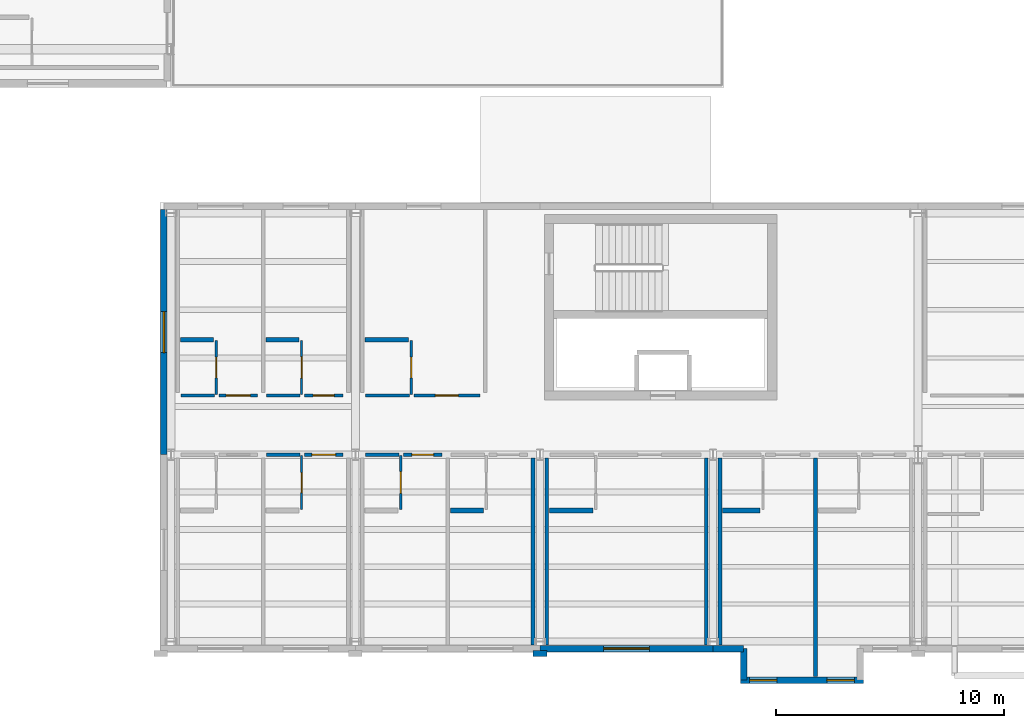
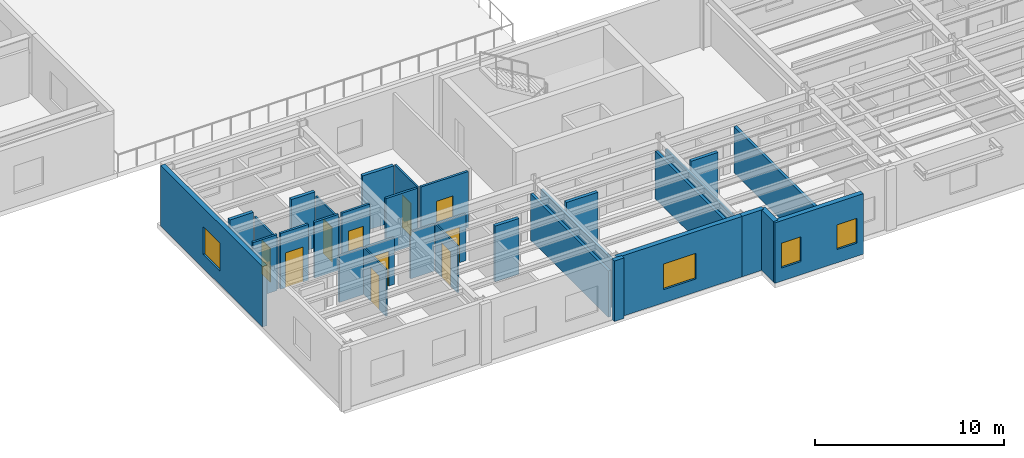
# One storey, part 35 of 59: 32 walls, 10 doors, 4 windows, 14 openings.
"""IFC4 building model written with IfcOpenShell, lengths in metres."""

from ifc_helpers import new_model, si_unit, direction, frame, frame_2d, origin, place, context, subcontext, project, spatial, rectangle, extrude, material, layer, layer_set, type_object, element, fill, save


model = new_model("IFC4")

# Units and contexts
model_context = context("Model", 3, precision=1e-05, world=origin(), true_north=direction((0.0, 1.0)))
body_context = subcontext(model_context, "Body", "Model", "MODEL_VIEW")
ifc_project = project(units=[si_unit("LENGTHUNIT", "METRE"), si_unit("AREAUNIT", "SQUARE_METRE"), si_unit("VOLUMEUNIT", "CUBIC_METRE"), si_unit("PLANEANGLEUNIT", "RADIAN"), si_unit("MASSUNIT", "GRAM", prefix="KILO")], contexts=[model_context])

# Site, building, storey
site_placement = place(None, origin())
site = spatial("IfcSite", under=ifc_project, at=site_placement, CompositionType="ELEMENT")
building_placement = place(site_placement, origin())
building = spatial("IfcBuilding", under=site, at=building_placement, Name="Sollismere Congress Hotel", CompositionType="ELEMENT")
storey_placement = place(building_placement, frame((0.0, 0.0, 15.60009765625)))
storey = spatial("IfcBuildingStorey", under=building, at=storey_placement, Name="L03", CompositionType="ELEMENT", Elevation=15.60009765625)

# Wall, opening, window
ifc_material_1 = material(Name="Colorado Buff Sandstone Rainscreen on Insulated Backup", Category="masonry")
ifc_layer_1 = layer(ifc_material_1, 0.284912109375, Name="Colorado Buff Sandstone Rainscreen on Insulated Backup")
ifc_layer_set_1 = layer_set([ifc_layer_1], Name="Colorado Buff Sandstone Rainscreen on Insulated Backup")
wall_type_1 = type_object("IfcWallType", Name="WL-EXT285", PredefinedType="STANDARD", material=ifc_layer_set_1)
wall_1_placement = place(storey_placement, frame((50.39990234375, -0.31005859375, 0.0), z_axis=(0.0, 0.0, 1.0), x_axis=(1.0, 0.0, 0.0)))
wall_1 = element("IfcWall", 1, at=wall_1_placement, inside=storey, type_object=wall_type_1, Name="Exterior wall EW-L03-394", PredefinedType="STANDARD", context=body_context, shape_type="SweptSolid", body=[
    extrude(rectangle(XDim=7.60009765625, YDim=0.284912109375, at=frame_2d((3.800048828125, 0.0))), origin(), (0.0, 0.0, 1.0), 3.89990234375),
])
opening_1_placement = place(wall_1_placement, frame((2.800048828125, 0.0, 0.85009765625)))
opening_1 = element("IfcOpeningElement", 2, at=opening_1_placement, cuts=wall_1, Name="Opening W-L03-313", PredefinedType="OPENING", context=body_context, shape_type="SweptSolid", body=[
    extrude(rectangle(XDim=2.0, YDim=1.64990234375, at=frame_2d((1.0, 0.824951171875))), frame((0.0, 0.15234375, 0.0), z_axis=(0.0, -1.0, 0.0), x_axis=(1.0, 0.0, 0.0)), (0.0, 0.0, 1.0), 0.304931640625),
])
ifc_material_2 = material(Name="Thermally Broken Bronze Aluminum & Low-E Glass", Category="aluminium")
window_type_1 = type_object("IfcWindowType", Name="WN-P200x165", PartitioningType="SINGLE_PANEL", PredefinedType="WINDOW", material=ifc_material_2)
window_1_placement = place(opening_1_placement, origin())
window_1 = element("IfcWindow", 3, at=window_1_placement, inside=storey, type_object=window_type_1, Name="WIN-W-L03-313", OverallHeight=1.64990234375, OverallWidth=2.0, PartitioningType="SINGLE_PANEL", PredefinedType="WINDOW", context=body_context, shape_type="SweptSolid", body=[
    extrude(rectangle(XDim=2.0, YDim=1.64990234375, at=frame_2d((1.0, 0.824951171875))), frame((0.0, 0.030029296875, 0.0), z_axis=(0.0, -1.0, 0.0), x_axis=(1.0, 0.0, 0.0)), (0.0, 0.0, 1.0), 0.06005859375),
])
fill(opening_1, window_1)

# Wall
wall_2_placement = place(storey_placement, frame((58.0, -0.31005859375, 0.0), z_axis=(0.0, 0.0, 1.0), x_axis=(1.0, 0.0, 0.0)))
element("IfcWall", 4, at=wall_2_placement, inside=storey, type_object=wall_type_1, Name="Exterior wall EW-L03-396", PredefinedType="STANDARD", context=body_context, shape_type="SweptSolid", body=[
    extrude(rectangle(XDim=1.340087890625, YDim=0.284912109375, at=frame_2d((0.669921875, 0.0))), origin(), (0.0, 0.0, 1.0), 3.89990234375),
])

# Wall, openings, windows
wall_3_placement = place(storey_placement, frame((59.199951171875, -1.699951171875, 0.0), z_axis=(0.0, 0.0, 1.0), x_axis=(1.0, 0.0, 0.0)))
wall_3 = element("IfcWall", 5, at=wall_3_placement, inside=storey, type_object=wall_type_1, Name="Exterior wall EW-L03-398", PredefinedType="STANDARD", context=body_context, shape_type="SweptSolid", body=[
    extrude(rectangle(XDim=5.400146484375, YDim=0.284912109375, at=frame_2d((2.7001953125, 0.0))), origin(), (0.0, 0.0, 1.0), 3.89990234375),
])
opening_2_placement = place(wall_3_placement, frame((0.39990234375, 0.0, 0.85009765625)))
opening_2 = element("IfcOpeningElement", 6, at=opening_2_placement, cuts=wall_3, Name="Opening W-L03-315", PredefinedType="OPENING", context=body_context, shape_type="SweptSolid", body=[
    extrude(rectangle(XDim=1.199951171875, YDim=1.60009765625, at=frame_2d((0.60009765625, 0.800048828125))), frame((0.0, 0.15234375, 0.0), z_axis=(0.0, -1.0, 0.0), x_axis=(1.0, 0.0, 0.0)), (0.0, 0.0, 1.0), 0.304931640625),
])
opening_3_placement = place(wall_3_placement, frame((3.800048828125, 0.0, 0.85009765625)))
opening_3 = element("IfcOpeningElement", 7, at=opening_3_placement, cuts=wall_3, Name="Opening W-L03-316", PredefinedType="OPENING", context=body_context, shape_type="SweptSolid", body=[
    extrude(rectangle(XDim=1.199951171875, YDim=1.60009765625, at=frame_2d((0.60009765625, 0.800048828125))), frame((0.0, 0.15234375, 0.0), z_axis=(0.0, -1.0, 0.0), x_axis=(1.0, 0.0, 0.0)), (0.0, 0.0, 1.0), 0.304931640625),
])
window_type_2 = type_object("IfcWindowType", Name="WN-P120x160", PartitioningType="SINGLE_PANEL", PredefinedType="WINDOW", material=ifc_material_2)
window_2_placement = place(opening_2_placement, origin())
window_2 = element("IfcWindow", 8, at=window_2_placement, inside=storey, type_object=window_type_2, Name="WIN-W-L03-315", OverallHeight=1.60009765625, OverallWidth=1.199951171875, PartitioningType="SINGLE_PANEL", PredefinedType="WINDOW", context=body_context, shape_type="SweptSolid", body=[
    extrude(rectangle(XDim=1.199951171875, YDim=1.60009765625, at=frame_2d((0.60009765625, 0.800048828125))), frame((0.0, 0.030029296875, 0.0), z_axis=(0.0, -1.0, 0.0), x_axis=(1.0, 0.0, 0.0)), (0.0, 0.0, 1.0), 0.06005859375),
])
fill(opening_2, window_2)
window_3_placement = place(opening_3_placement, origin())
window_3 = element("IfcWindow", 9, at=window_3_placement, inside=storey, type_object=window_type_2, Name="WIN-W-L03-316", OverallHeight=1.60009765625, OverallWidth=1.199951171875, PartitioningType="SINGLE_PANEL", PredefinedType="WINDOW", context=body_context, shape_type="SweptSolid", body=[
    extrude(rectangle(XDim=1.199951171875, YDim=1.60009765625, at=frame_2d((0.60009765625, 0.800048828125))), frame((0.0, 0.030029296875, 0.0), z_axis=(0.0, -1.0, 0.0), x_axis=(1.0, 0.0, 0.0)), (0.0, 0.0, 1.0), 0.06005859375),
])
fill(opening_3, window_3)

# Wall
wall_4_placement = place(storey_placement, frame((59.340087890625, -0.31005859375, 0.0), z_axis=(0.0, 0.0, 1.0), x_axis=(0.0, -1.0, 0.0)))
element("IfcWall", 10, at=wall_4_placement, inside=storey, type_object=wall_type_1, Name="Exterior wall EW-L03-399", PredefinedType="STANDARD", context=body_context, shape_type="SweptSolid", body=[
    extrude(rectangle(XDim=1.389892578125, YDim=0.284912109375, at=frame_2d((0.69482421875, 0.0))), origin(), (0.0, 0.0, 1.0), 3.89990234375),
])

# Wall, opening, window
wall_5_placement = place(storey_placement, frame((33.889892578125, 18.965576171875, 0.0), z_axis=(0.0, 0.0, 1.0), x_axis=(0.0, -1.0, 0.0)))
wall_5 = element("IfcWall", 11, at=wall_5_placement, inside=storey, type_object=wall_type_1, Name="Exterior wall EW-L03-474", PredefinedType="STANDARD", context=body_context, shape_type="SweptSolid", body=[
    extrude(rectangle(XDim=10.765625, YDim=0.284912109375, at=frame_2d((5.3828125, 0.0))), origin(), (0.0, 0.0, 1.0), 3.89990234375),
])
opening_4_placement = place(wall_5_placement, frame((4.482666015625, 0.0, 0.8798828125)))
opening_4 = element("IfcOpeningElement", 12, at=opening_4_placement, cuts=wall_5, Name="Opening W-L03-363", PredefinedType="OPENING", context=body_context, shape_type="SweptSolid", body=[
    extrude(rectangle(XDim=1.800048828125, YDim=1.800048828125, at=frame_2d((0.89990234375, 0.89990234375))), frame((0.0, 0.15234375, 0.0), z_axis=(0.0, -1.0, 0.0), x_axis=(1.0, 0.0, 0.0)), (0.0, 0.0, 1.0), 0.304931640625),
])
window_type_3 = type_object("IfcWindowType", Name="WN-P180x180", PartitioningType="SINGLE_PANEL", PredefinedType="WINDOW", material=ifc_material_2)
window_4_placement = place(opening_4_placement, origin())
window_4 = element("IfcWindow", 13, at=window_4_placement, inside=storey, type_object=window_type_3, Name="WIN-W-L03-363", OverallHeight=1.800048828125, OverallWidth=1.800048828125, PartitioningType="SINGLE_PANEL", PredefinedType="WINDOW", context=body_context, shape_type="SweptSolid", body=[
    extrude(rectangle(XDim=1.800048828125, YDim=1.800048828125, at=frame_2d((0.89990234375, 0.89990234375))), frame((0.0, 0.030029296875, 0.0), z_axis=(0.0, -1.0, 0.0), x_axis=(1.0, 0.0, 0.0)), (0.0, 0.0, 1.0), 0.06005859375),
])
fill(opening_4, window_4)

# Walls
ifc_material_3 = material(Name="Carved Travertine Pilaster & Frieze Assembly", Category="masonry")
ifc_layer_2 = layer(ifc_material_3, 0.260009765625, Name="Carved Travertine Pilaster & Frieze Assembly")
ifc_layer_set_2 = layer_set([ifc_layer_2], Name="Carved Travertine Pilaster & Frieze Assembly")
wall_type_2 = type_object("IfcWallType", Name="WL-PIL280", PredefinedType="ELEMENTEDWALL", material=ifc_layer_set_2)
wall_6_placement = place(storey_placement, frame((50.10009765625, -0.52001953125, 0.0), z_axis=(0.0, 0.0, 1.0), x_axis=(1.0, 0.0, 0.0)))
element("IfcWall", 14, at=wall_6_placement, inside=storey, type_object=wall_type_2, Name="Exterior wall EW-L03-395", PredefinedType="ELEMENTEDWALL", context=body_context, shape_type="SweptSolid", body=[
    extrude(rectangle(XDim=0.599853515625, YDim=0.260009765625, at=frame_2d((0.2998046875, 0.0))), origin(), (0.0, 0.0, 1.0), 3.89990234375),
])
ifc_material_4 = material(Name="Moisture-Resistant Shaft Gypsum Assembly")
ifc_layer_3 = layer(ifc_material_4, 0.199951171875, Name="Moisture-Resistant Shaft Gypsum Assembly")
ifc_layer_set_3 = layer_set([ifc_layer_3], Name="Moisture-Resistant Shaft Gypsum Assembly")
wall_type_3 = type_object("IfcWallType", Name="WL-PLM200", PredefinedType="PLUMBINGWALL", material=ifc_layer_set_3)
for number, where, z_axis, x_axis, name in (
    (15, (34.6201171875, 13.25, 0.0), (0.0, 0.0, 1.0), (1.0, 0.0, 0.0), "Interior wall IW-L03-1225"),
    (16, (38.3701171875, 13.25, 0.0), (0.0, 0.0, 1.0), (1.0, 0.0, 0.0), "Interior wall IW-L03-1230"),
    (17, (46.469970703125, 5.75, 0.0), (0.0, 0.0, 1.0), (1.0, 0.0, 0.0), "Interior wall IW-L03-1241"),
):
    element("IfcWall", number, at=place(storey_placement, frame(where, z_axis=z_axis, x_axis=x_axis)), inside=storey, type_object=wall_type_3, Name=name, PredefinedType="PLUMBINGWALL", context=body_context, shape_type="SweptSolid", body=[
        extrude(rectangle(XDim=1.447998046875, YDim=0.199951171875, at=frame_2d((0.72412109375, 0.0))), origin(), (0.0, 0.0, 1.0), 3.599853515625),
    ])
for number, where, z_axis, x_axis, name in (
    (18, (42.719970703125, 13.25, 0.0), (0.0, 0.0, 1.0), (1.0, 0.0, 0.0), "Interior wall IW-L03-1247"),
    (19, (50.820068359375, 5.75, 0.0), (0.0, 0.0, 1.0), (1.0, 0.0, 0.0), "Interior wall IW-L03-1253"),
):
    element("IfcWall", number, at=place(storey_placement, frame(where, z_axis=z_axis, x_axis=x_axis)), inside=storey, type_object=wall_type_3, Name=name, PredefinedType="PLUMBINGWALL", context=body_context, shape_type="SweptSolid", body=[
        extrude(rectangle(XDim=1.909912109375, YDim=0.199951171875, at=frame_2d((0.955078125, 0.0))), origin(), (0.0, 0.0, 1.0), 3.599853515625),
    ])
wall_7_placement = place(storey_placement, frame((58.419921875, 5.75, 0.0), z_axis=(0.0, 0.0, 1.0), x_axis=(1.0, 0.0, 0.0)))
element("IfcWall", 20, at=wall_7_placement, inside=storey, type_object=wall_type_3, Name="Interior wall IW-L03-1259", PredefinedType="PLUMBINGWALL", context=body_context, shape_type="SweptSolid", body=[
    extrude(rectangle(XDim=1.650146484375, YDim=0.199951171875, at=frame_2d((0.8251953125, 0.0))), origin(), (0.0, 0.0, 1.0), 3.599853515625),
])

# Wall, opening, door
ifc_material_5 = material(Name="Moisture-Resistant Gypsum Partition")
ifc_layer_4 = layer(ifc_material_5, 0.10009765625, Name="Moisture-Resistant Gypsum Partition")
ifc_layer_set_4 = layer_set([ifc_layer_4], Name="Moisture-Resistant Gypsum Partition")
wall_type_4 = type_object("IfcWallType", Name="WL-PRT100", PredefinedType="PARTITIONING", material=ifc_layer_set_4)
wall_8_placement = place(storey_placement, frame((39.93798828125, 5.7900390625, 0.0), z_axis=(0.0, 0.0, 1.0), x_axis=(0.0, 1.0, 0.0)))
wall_8 = element("IfcWall", 21, at=wall_8_placement, inside=storey, type_object=wall_type_4, Name="Interior wall IW-L03-1218", PredefinedType="PARTITIONING", context=body_context, shape_type="SweptSolid", body=[
    extrude(rectangle(XDim=2.369873046875, YDim=0.10009765625, at=frame_2d((1.18505859375, 0.0))), origin(), (0.0, 0.0, 1.0), 3.012939453125),
])
opening_5_placement = place(wall_8_placement, frame((0.7451171875, 0.0, 0.0)))
opening_5 = element("IfcOpeningElement", 22, at=opening_5_placement, cuts=wall_8, Name="Opening D-L03-0430", PredefinedType="OPENING", context=body_context, shape_type="SweptSolid", body=[
    extrude(rectangle(XDim=0.8798828125, YDim=2.179931640625, at=frame_2d((0.43994140625, 1.08984375))), frame((0.0, 0.06005859375, 0.0), z_axis=(0.0, -1.0, 0.0), x_axis=(1.0, 0.0, 0.0)), (0.0, 0.0, 1.0), 0.1201171875),
])
ifc_material_6 = material(Name="Moisture-Sealed Timber Bathroom Door", Category="wood")
door_type_1 = type_object("IfcDoorType", Name="DR-BT05", OperationType="NOTDEFINED", PredefinedType="DOOR", material=ifc_material_6)
door_1_placement = place(opening_5_placement, origin())
door_1 = element("IfcDoor", 23, at=door_1_placement, inside=storey, type_object=door_type_1, Name="En-suite bathroom door D-L03-0430", OperationType="SINGLE_SWING_LEFT", OverallHeight=2.179931640625, OverallWidth=0.8798828125, PredefinedType="DOOR", context=body_context, shape_type="SweptSolid", body=[
    extrude(rectangle(XDim=0.8798828125, YDim=2.179931640625, at=frame_2d((0.43994140625, 1.08984375))), frame((0.0, 0.02490234375, 0.0), z_axis=(0.0, -1.0, 0.0), x_axis=(1.0, 0.0, 0.0)), (0.0, 0.0, 1.0), 0.050048828125),
])
fill(opening_5, door_1)

wall_9_placement = place(storey_placement, frame((36.18798828125, 10.840087890625, 0.0), z_axis=(0.0, 0.0, 1.0), x_axis=(0.0, 1.0, 0.0)))
wall_9 = element("IfcWall", 24, at=wall_9_placement, inside=storey, type_object=wall_type_4, Name="Interior wall IW-L03-1224", PredefinedType="PARTITIONING", context=body_context, shape_type="SweptSolid", body=[
    extrude(rectangle(XDim=2.369873046875, YDim=0.10009765625, at=frame_2d((1.18505859375, 0.0))), origin(), (0.0, 0.0, 1.0), 3.268798828125),
])
opening_6_placement = place(wall_9_placement, frame((0.73291015625, 0.0, 0.0)))
opening_6 = element("IfcOpeningElement", 25, at=opening_6_placement, cuts=wall_9, Name="Opening D-L03-0432", PredefinedType="OPENING", context=body_context, shape_type="SweptSolid", body=[
    extrude(rectangle(XDim=0.905029296875, YDim=2.179931640625, at=frame_2d((0.45263671875, 1.08984375))), frame((0.0, 0.06005859375, 0.0), z_axis=(0.0, -1.0, 0.0), x_axis=(1.0, 0.0, 0.0)), (0.0, 0.0, 1.0), 0.1201171875),
])
door_type_2 = type_object("IfcDoorType", Name="DR-BT06", OperationType="NOTDEFINED", PredefinedType="DOOR", material=ifc_material_6)
door_2_placement = place(opening_6_placement, origin())
door_2 = element("IfcDoor", 26, at=door_2_placement, inside=storey, type_object=door_type_2, Name="En-suite bathroom door D-L03-0432", OperationType="SINGLE_SWING_LEFT", OverallHeight=2.179931640625, OverallWidth=0.905029296875, PredefinedType="DOOR", context=body_context, shape_type="SweptSolid", body=[
    extrude(rectangle(XDim=0.905029296875, YDim=2.179931640625, at=frame_2d((0.45263671875, 1.08984375))), frame((0.0, 0.02490234375, 0.0), z_axis=(0.0, -1.0, 0.0), x_axis=(1.0, 0.0, 0.0)), (0.0, 0.0, 1.0), 0.050048828125),
])
fill(opening_6, door_2)

wall_10_placement = place(storey_placement, frame((39.93798828125, 10.840087890625, 0.0), z_axis=(0.0, 0.0, 1.0), x_axis=(0.0, 1.0, 0.0)))
wall_10 = element("IfcWall", 27, at=wall_10_placement, inside=storey, type_object=wall_type_4, Name="Interior wall IW-L03-1229", PredefinedType="PARTITIONING", context=body_context, shape_type="SweptSolid", body=[
    extrude(rectangle(XDim=2.369873046875, YDim=0.10009765625, at=frame_2d((1.18505859375, 0.0))), origin(), (0.0, 0.0, 1.0), 3.268798828125),
])
opening_7_placement = place(wall_10_placement, frame((0.719970703125, 0.0, 0.0)))
opening_7 = element("IfcOpeningElement", 28, at=opening_7_placement, cuts=wall_10, Name="Opening D-L03-0434", PredefinedType="OPENING", context=body_context, shape_type="SweptSolid", body=[
    extrude(rectangle(XDim=0.929931640625, YDim=2.219970703125, at=frame_2d((0.46484375, 1.10986328125))), frame((0.0, 0.06005859375, 0.0), z_axis=(0.0, -1.0, 0.0), x_axis=(1.0, 0.0, 0.0)), (0.0, 0.0, 1.0), 0.1201171875),
])
door_type_3 = type_object("IfcDoorType", Name="DR-BT07", OperationType="NOTDEFINED", PredefinedType="DOOR", material=ifc_material_6)
door_3_placement = place(opening_7_placement, origin())
door_3 = element("IfcDoor", 29, at=door_3_placement, inside=storey, type_object=door_type_3, Name="En-suite bathroom door D-L03-0434", OperationType="SINGLE_SWING_LEFT", OverallHeight=2.219970703125, OverallWidth=0.929931640625, PredefinedType="DOOR", context=body_context, shape_type="SweptSolid", body=[
    extrude(rectangle(XDim=0.929931640625, YDim=2.219970703125, at=frame_2d((0.46484375, 1.10986328125))), frame((0.0, 0.02490234375, 0.0), z_axis=(0.0, -1.0, 0.0), x_axis=(1.0, 0.0, 0.0)), (0.0, 0.0, 1.0), 0.050048828125),
])
fill(opening_7, door_3)

wall_11_placement = place(storey_placement, frame((44.2880859375, 5.7900390625, 0.0), z_axis=(0.0, 0.0, 1.0), x_axis=(0.0, 1.0, 0.0)))
wall_11 = element("IfcWall", 30, at=wall_11_placement, inside=storey, type_object=wall_type_4, Name="Interior wall IW-L03-1235", PredefinedType="PARTITIONING", context=body_context, shape_type="SweptSolid", body=[
    extrude(rectangle(XDim=2.369873046875, YDim=0.10009765625, at=frame_2d((1.18505859375, 0.0))), origin(), (0.0, 0.0, 1.0), 3.012939453125),
])
opening_8_placement = place(wall_11_placement, frame((0.7080078125, 0.0, 0.0)))
opening_8 = element("IfcOpeningElement", 31, at=opening_8_placement, cuts=wall_11, Name="Opening D-L03-0436", PredefinedType="OPENING", context=body_context, shape_type="SweptSolid", body=[
    extrude(rectangle(XDim=0.955078125, YDim=2.219970703125, at=frame_2d((0.4775390625, 1.10986328125))), frame((0.0, 0.06005859375, 0.0), z_axis=(0.0, -1.0, 0.0), x_axis=(1.0, 0.0, 0.0)), (0.0, 0.0, 1.0), 0.1201171875),
])
door_type_4 = type_object("IfcDoorType", Name="DR-BT08", OperationType="NOTDEFINED", PredefinedType="DOOR", material=ifc_material_6)
door_4_placement = place(opening_8_placement, origin())
door_4 = element("IfcDoor", 32, at=door_4_placement, inside=storey, type_object=door_type_4, Name="En-suite bathroom door D-L03-0436", OperationType="SINGLE_SWING_LEFT", OverallHeight=2.219970703125, OverallWidth=0.955078125, PredefinedType="DOOR", context=body_context, shape_type="SweptSolid", body=[
    extrude(rectangle(XDim=0.955078125, YDim=2.219970703125, at=frame_2d((0.4775390625, 1.10986328125))), frame((0.0, 0.02490234375, 0.0), z_axis=(0.0, -1.0, 0.0), x_axis=(1.0, 0.0, 0.0)), (0.0, 0.0, 1.0), 0.050048828125),
])
fill(opening_8, door_4)

wall_12_placement = place(storey_placement, frame((44.75, 10.840087890625, 0.0), z_axis=(0.0, 0.0, 1.0), x_axis=(0.0, 1.0, 0.0)))
wall_12 = element("IfcWall", 33, at=wall_12_placement, inside=storey, type_object=wall_type_4, Name="Interior wall IW-L03-1246", PredefinedType="PARTITIONING", context=body_context, shape_type="SweptSolid", body=[
    extrude(rectangle(XDim=2.369873046875, YDim=0.10009765625, at=frame_2d((1.18505859375, 0.0))), origin(), (0.0, 0.0, 1.0), 3.599853515625),
])
opening_9_placement = place(wall_12_placement, frame((0.73291015625, 0.0, 0.0)))
opening_9 = element("IfcOpeningElement", 34, at=opening_9_placement, cuts=wall_12, Name="Opening D-L03-0440", PredefinedType="OPENING", context=body_context, shape_type="SweptSolid", body=[
    extrude(rectangle(XDim=0.905029296875, YDim=2.10009765625, at=frame_2d((0.45263671875, 1.050048828125))), frame((0.0, 0.06005859375, 0.0), z_axis=(0.0, -1.0, 0.0), x_axis=(1.0, 0.0, 0.0)), (0.0, 0.0, 1.0), 0.1201171875),
])
door_type_5 = type_object("IfcDoorType", Name="DR-BT02", OperationType="NOTDEFINED", PredefinedType="DOOR", material=ifc_material_6)
door_5_placement = place(opening_9_placement, origin())
door_5 = element("IfcDoor", 35, at=door_5_placement, inside=storey, type_object=door_type_5, Name="En-suite bathroom door D-L03-0440", OperationType="SINGLE_SWING_LEFT", OverallHeight=2.10009765625, OverallWidth=0.905029296875, PredefinedType="DOOR", context=body_context, shape_type="SweptSolid", body=[
    extrude(rectangle(XDim=0.905029296875, YDim=2.10009765625, at=frame_2d((0.45263671875, 1.050048828125))), frame((0.0, 0.02490234375, 0.0), z_axis=(0.0, -1.0, 0.0), x_axis=(1.0, 0.0, 0.0)), (0.0, 0.0, 1.0), 0.050048828125),
])
fill(opening_9, door_5)

# Wall
ifc_material_7 = material(Name="Fire-Rated Gypsum Partition")
ifc_layer_5 = layer(ifc_material_7, 0.139892578125, Name="Fire-Rated Gypsum Partition")
ifc_layer_set_5 = layer_set([ifc_layer_5], Name="Fire-Rated Gypsum Partition")
wall_type_5 = type_object("IfcWallType", Name="WL-PRT140R", PredefinedType="PARTITIONING", material=ifc_layer_set_5)
wall_13_placement = place(storey_placement, frame((38.389892578125, 8.199951171875, 0.0), z_axis=(0.0, 0.0, 1.0), x_axis=(1.0, 0.0, 0.0)))
element("IfcWall", 36, at=wall_13_placement, inside=storey, type_object=wall_type_5, Name="Interior wall IW-L03-1215", PredefinedType="PARTITIONING", context=body_context, shape_type="SweptSolid", body=[
    extrude(rectangle(XDim=1.468017578125, YDim=0.139892578125, at=frame_2d((0.73388671875, 0.0))), origin(), (0.0, 0.0, 1.0), 3.012939453125),
])

# Wall, opening, door
wall_14_placement = place(storey_placement, frame((40.05810546875, 8.199951171875, 0.0), z_axis=(0.0, 0.0, 1.0), x_axis=(1.0, 0.0, 0.0)))
wall_14 = element("IfcWall", 37, at=wall_14_placement, inside=storey, type_object=wall_type_5, Name="Interior wall IW-L03-1216", PredefinedType="PARTITIONING", context=body_context, shape_type="SweptSolid", body=[
    extrude(rectangle(XDim=1.701904296875, YDim=0.139892578125, at=frame_2d((0.85107421875, 0.0))), origin(), (0.0, 0.0, 1.0), 3.012939453125),
])
opening_10_placement = place(wall_14_placement, frame((0.3310546875, 0.0, 0.0)))
opening_10 = element("IfcOpeningElement", 38, at=opening_10_placement, cuts=wall_14, Name="Opening D-L03-0429", PredefinedType="OPENING", context=body_context, shape_type="SweptSolid", body=[
    extrude(rectangle(XDim=1.0400390625, YDim=2.25, at=frame_2d((0.52001953125, 1.125))), frame((0.0, 0.079833984375, 0.0), z_axis=(0.0, -1.0, 0.0), x_axis=(1.0, 0.0, 0.0)), (0.0, 0.0, 1.0), 0.159912109375),
])
ifc_material_8 = material(Name="Solid-Core Acoustic Walnut Guestroom Entry Door")
door_type_6 = type_object("IfcDoorType", Name="DR-KY05", OperationType="NOTDEFINED", PredefinedType="DOOR", material=ifc_material_8)
door_6_placement = place(opening_10_placement, origin())
door_6 = element("IfcDoor", 39, at=door_6_placement, inside=storey, type_object=door_type_6, Name="Hotel room entry door D-L03-0429", OperationType="SINGLE_SWING_RIGHT", OverallHeight=2.25, OverallWidth=1.0400390625, PredefinedType="DOOR", context=body_context, shape_type="SweptSolid", body=[
    extrude(rectangle(XDim=1.0400390625, YDim=2.25, at=frame_2d((0.52001953125, 1.125))), frame((0.0, 0.02490234375, 0.0), z_axis=(0.0, -1.0, 0.0), x_axis=(1.0, 0.0, 0.0)), (0.0, 0.0, 1.0), 0.050048828125),
])
fill(opening_10, door_6)

# Wall
wall_15_placement = place(storey_placement, frame((34.639892578125, 10.800048828125, 0.0), z_axis=(0.0, 0.0, 1.0), x_axis=(1.0, 0.0, 0.0)))
element("IfcWall", 40, at=wall_15_placement, inside=storey, type_object=wall_type_5, Name="Interior wall IW-L03-1220", PredefinedType="PARTITIONING", context=body_context, shape_type="SweptSolid", body=[
    extrude(rectangle(XDim=1.468017578125, YDim=0.139892578125, at=frame_2d((0.73388671875, 0.0))), origin(), (0.0, 0.0, 1.0), 3.599853515625),
])

# Wall, opening, door
wall_16_placement = place(storey_placement, frame((36.30810546875, 10.800048828125, 0.0), z_axis=(0.0, 0.0, 1.0), x_axis=(1.0, 0.0, 0.0)))
wall_16 = element("IfcWall", 41, at=wall_16_placement, inside=storey, type_object=wall_type_5, Name="Interior wall IW-L03-1221", PredefinedType="PARTITIONING", context=body_context, shape_type="SweptSolid", body=[
    extrude(rectangle(XDim=1.701904296875, YDim=0.139892578125, at=frame_2d((0.85107421875, 0.0))), origin(), (0.0, 0.0, 1.0), 3.599853515625),
])
opening_11_placement = place(wall_16_placement, frame((0.31591796875, 0.0, 0.0)))
opening_11 = element("IfcOpeningElement", 42, at=opening_11_placement, cuts=wall_16, Name="Opening D-L03-0431", PredefinedType="OPENING", context=body_context, shape_type="SweptSolid", body=[
    extrude(rectangle(XDim=1.070068359375, YDim=2.25, at=frame_2d((0.53515625, 1.125))), frame((0.0, 0.079833984375, 0.0), z_axis=(0.0, -1.0, 0.0), x_axis=(1.0, 0.0, 0.0)), (0.0, 0.0, 1.0), 0.159912109375),
])
door_type_7 = type_object("IfcDoorType", Name="DR-KY06", OperationType="NOTDEFINED", PredefinedType="DOOR", material=ifc_material_8)
door_7_placement = place(opening_11_placement, origin())
door_7 = element("IfcDoor", 43, at=door_7_placement, inside=storey, type_object=door_type_7, Name="Hotel room entry door D-L03-0431", OperationType="SINGLE_SWING_RIGHT", OverallHeight=2.25, OverallWidth=1.070068359375, PredefinedType="DOOR", context=body_context, shape_type="SweptSolid", body=[
    extrude(rectangle(XDim=1.070068359375, YDim=2.25, at=frame_2d((0.53515625, 1.125))), frame((0.0, 0.02490234375, 0.0), z_axis=(0.0, -1.0, 0.0), x_axis=(1.0, 0.0, 0.0)), (0.0, 0.0, 1.0), 0.050048828125),
])
fill(opening_11, door_7)

# Wall
wall_17_placement = place(storey_placement, frame((38.389892578125, 10.800048828125, 0.0), z_axis=(0.0, 0.0, 1.0), x_axis=(1.0, 0.0, 0.0)))
element("IfcWall", 44, at=wall_17_placement, inside=storey, type_object=wall_type_5, Name="Interior wall IW-L03-1226", PredefinedType="PARTITIONING", context=body_context, shape_type="SweptSolid", body=[
    extrude(rectangle(XDim=1.468017578125, YDim=0.139892578125, at=frame_2d((0.73388671875, 0.0))), origin(), (0.0, 0.0, 1.0), 3.599853515625),
])

# Wall, opening, door
wall_18_placement = place(storey_placement, frame((40.05810546875, 10.800048828125, 0.0), z_axis=(0.0, 0.0, 1.0), x_axis=(1.0, 0.0, 0.0)))
wall_18 = element("IfcWall", 45, at=wall_18_placement, inside=storey, type_object=wall_type_5, Name="Interior wall IW-L03-1227", PredefinedType="PARTITIONING", context=body_context, shape_type="SweptSolid", body=[
    extrude(rectangle(XDim=1.701904296875, YDim=0.139892578125, at=frame_2d((0.85107421875, 0.0))), origin(), (0.0, 0.0, 1.0), 3.599853515625),
])
opening_12_placement = place(wall_18_placement, frame((0.39111328125, 0.0, 0.0)))
opening_12 = element("IfcOpeningElement", 46, at=opening_12_placement, cuts=wall_18, Name="Opening D-L03-0433", PredefinedType="OPENING", context=body_context, shape_type="SweptSolid", body=[
    extrude(rectangle(XDim=0.919921875, YDim=2.300048828125, at=frame_2d((0.4599609375, 1.14990234375))), frame((0.0, 0.079833984375, 0.0), z_axis=(0.0, -1.0, 0.0), x_axis=(1.0, 0.0, 0.0)), (0.0, 0.0, 1.0), 0.159912109375),
])
door_type_8 = type_object("IfcDoorType", Name="DR-KY07", OperationType="NOTDEFINED", PredefinedType="DOOR", material=ifc_material_8)
door_8_placement = place(opening_12_placement, origin())
door_8 = element("IfcDoor", 47, at=door_8_placement, inside=storey, type_object=door_type_8, Name="Hotel room entry door D-L03-0433", OperationType="SINGLE_SWING_RIGHT", OverallHeight=2.300048828125, OverallWidth=0.919921875, PredefinedType="DOOR", context=body_context, shape_type="SweptSolid", body=[
    extrude(rectangle(XDim=0.919921875, YDim=2.300048828125, at=frame_2d((0.4599609375, 1.14990234375))), frame((0.0, 0.02490234375, 0.0), z_axis=(0.0, -1.0, 0.0), x_axis=(1.0, 0.0, 0.0)), (0.0, 0.0, 1.0), 0.050048828125),
])
fill(opening_12, door_8)

# Wall
wall_19_placement = place(storey_placement, frame((42.739990234375, 8.199951171875, 0.0), z_axis=(0.0, 0.0, 1.0), x_axis=(1.0, 0.0, 0.0)))
element("IfcWall", 48, at=wall_19_placement, inside=storey, type_object=wall_type_5, Name="Interior wall IW-L03-1231", PredefinedType="PARTITIONING", context=body_context, shape_type="SweptSolid", body=[
    extrude(rectangle(XDim=1.468017578125, YDim=0.139892578125, at=frame_2d((0.73388671875, 0.0))), origin(), (0.0, 0.0, 1.0), 3.012939453125),
])

# Wall, opening, door
wall_20_placement = place(storey_placement, frame((44.407958984375, 8.199951171875, 0.0), z_axis=(0.0, 0.0, 1.0), x_axis=(1.0, 0.0, 0.0)))
wall_20 = element("IfcWall", 49, at=wall_20_placement, inside=storey, type_object=wall_type_5, Name="Interior wall IW-L03-1232", PredefinedType="PARTITIONING", context=body_context, shape_type="SweptSolid", body=[
    extrude(rectangle(XDim=1.7021484375, YDim=0.139892578125, at=frame_2d((0.85107421875, 0.0))), origin(), (0.0, 0.0, 1.0), 3.012939453125),
])
opening_13_placement = place(wall_20_placement, frame((0.3759765625, 0.0, 0.0)))
opening_13 = element("IfcOpeningElement", 50, at=opening_13_placement, cuts=wall_20, Name="Opening D-L03-0435", PredefinedType="OPENING", context=body_context, shape_type="SweptSolid", body=[
    extrude(rectangle(XDim=0.949951171875, YDim=2.300048828125, at=frame_2d((0.47509765625, 1.14990234375))), frame((0.0, 0.079833984375, 0.0), z_axis=(0.0, -1.0, 0.0), x_axis=(1.0, 0.0, 0.0)), (0.0, 0.0, 1.0), 0.159912109375),
])
door_type_9 = type_object("IfcDoorType", Name="DR-KY08", OperationType="NOTDEFINED", PredefinedType="DOOR", material=ifc_material_8)
door_9_placement = place(opening_13_placement, origin())
door_9 = element("IfcDoor", 51, at=door_9_placement, inside=storey, type_object=door_type_9, Name="Hotel room entry door D-L03-0435", OperationType="SINGLE_SWING_RIGHT", OverallHeight=2.300048828125, OverallWidth=0.949951171875, PredefinedType="DOOR", context=body_context, shape_type="SweptSolid", body=[
    extrude(rectangle(XDim=0.949951171875, YDim=2.300048828125, at=frame_2d((0.47509765625, 1.14990234375))), frame((0.0, 0.02490234375, 0.0), z_axis=(0.0, -1.0, 0.0), x_axis=(1.0, 0.0, 0.0)), (0.0, 0.0, 1.0), 0.050048828125),
])
fill(opening_13, door_9)

# Wall
wall_21_placement = place(storey_placement, frame((42.739990234375, 10.800048828125, 0.0), z_axis=(0.0, 0.0, 1.0), x_axis=(1.0, 0.0, 0.0)))
element("IfcWall", 52, at=wall_21_placement, inside=storey, type_object=wall_type_5, Name="Interior wall IW-L03-1242", PredefinedType="PARTITIONING", context=body_context, shape_type="SweptSolid", body=[
    extrude(rectangle(XDim=1.929931640625, YDim=0.139892578125, at=frame_2d((0.96484375, 0.0))), origin(), (0.0, 0.0, 1.0), 3.599853515625),
])

# Wall, opening, door
wall_22_placement = place(storey_placement, frame((44.8701171875, 10.800048828125, 0.0), z_axis=(0.0, 0.0, 1.0), x_axis=(1.0, 0.0, 0.0)))
wall_22 = element("IfcWall", 53, at=wall_22_placement, inside=storey, type_object=wall_type_5, Name="Interior wall IW-L03-1243", PredefinedType="PARTITIONING", context=body_context, shape_type="SweptSolid", body=[
    extrude(rectangle(XDim=2.889892578125, YDim=0.139892578125, at=frame_2d((1.44482421875, 0.0))), origin(), (0.0, 0.0, 1.0), 3.599853515625),
])
opening_14_placement = place(wall_22_placement, frame((0.93994140625, 0.0, 0.0)))
opening_14 = element("IfcOpeningElement", 54, at=opening_14_placement, cuts=wall_22, Name="Opening D-L03-0439", PredefinedType="OPENING", context=body_context, shape_type="SweptSolid", body=[
    extrude(rectangle(XDim=1.010009765625, YDim=2.35009765625, at=frame_2d((0.5048828125, 1.175048828125))), frame((0.0, 0.079833984375, 0.0), z_axis=(0.0, -1.0, 0.0), x_axis=(1.0, 0.0, 0.0)), (0.0, 0.0, 1.0), 0.159912109375),
])
door_type_10 = type_object("IfcDoorType", Name="DR-KY10", OperationType="NOTDEFINED", PredefinedType="DOOR", material=ifc_material_8)
door_10_placement = place(opening_14_placement, origin())
door_10 = element("IfcDoor", 55, at=door_10_placement, inside=storey, type_object=door_type_10, Name="Hotel room entry door D-L03-0439", OperationType="SINGLE_SWING_RIGHT", OverallHeight=2.35009765625, OverallWidth=1.010009765625, PredefinedType="DOOR", context=body_context, shape_type="SweptSolid", body=[
    extrude(rectangle(XDim=1.010009765625, YDim=2.35009765625, at=frame_2d((0.5048828125, 1.175048828125))), frame((0.0, 0.02490234375, 0.0), z_axis=(0.0, -1.0, 0.0), x_axis=(1.0, 0.0, 0.0)), (0.0, 0.0, 1.0), 0.050048828125),
])
fill(opening_14, door_10)

# Walls
ifc_material_9 = material(Name="Fire-Rated Acoustic Gypsum Partition")
ifc_layer_6 = layer(ifc_material_9, 0.1650390625, Name="Fire-Rated Acoustic Gypsum Partition")
ifc_layer_set_6 = layer_set([ifc_layer_6], Name="Fire-Rated Acoustic Gypsum Partition")
wall_type_6 = type_object("IfcWallType", Name="WL-PRT165R", PredefinedType="PARTITIONING", material=ifc_layer_set_6)
wall_23_placement = place(storey_placement, frame((50.10009765625, -0.152587890625, 0.0), z_axis=(0.0, 0.0, 1.0), x_axis=(0.0, 1.0, 0.0)))
element("IfcWall", 56, at=wall_23_placement, inside=storey, type_object=wall_type_6, Name="Interior wall IW-L03-1239", PredefinedType="PARTITIONING", context=body_context, shape_type="SweptSolid", body=[
    extrude(rectangle(XDim=8.212646484375, YDim=0.1650390625, at=frame_2d((4.1064453125, 0.0))), origin(), (0.0, 0.0, 1.0), 2.989990234375),
])
for number, where, z_axis, x_axis, name in (
    (57, (50.699951171875, -0.152587890625, 0.0), (0.0, 0.0, 1.0), (0.0, 1.0, 0.0), "Interior wall IW-L03-1250"),
    (58, (57.699951171875, -0.152587890625, 0.0), (0.0, 0.0, 1.0), (0.0, 1.0, 0.0), "Interior wall IW-L03-1251"),
):
    element("IfcWall", number, at=place(storey_placement, frame(where, z_axis=z_axis, x_axis=x_axis)), inside=storey, type_object=wall_type_6, Name=name, PredefinedType="PARTITIONING", context=body_context, shape_type="SweptSolid", body=[
        extrude(rectangle(XDim=8.212646484375, YDim=0.1650390625, at=frame_2d((4.1064453125, 0.0))), origin(), (0.0, 0.0, 1.0), 3.073974609375),
    ])
wall_24_placement = place(storey_placement, frame((58.300048828125, -0.152587890625, 0.0), z_axis=(0.0, 0.0, 1.0), x_axis=(0.0, 1.0, 0.0)))
element("IfcWall", 59, at=wall_24_placement, inside=storey, type_object=wall_type_6, Name="Interior wall IW-L03-1256", PredefinedType="PARTITIONING", context=body_context, shape_type="SweptSolid", body=[
    extrude(rectangle(XDim=8.212646484375, YDim=0.1650390625, at=frame_2d((4.1064453125, 0.0))), origin(), (0.0, 0.0, 1.0), 2.989990234375),
])
wall_25_placement = place(storey_placement, frame((62.5, -1.54248046875, 0.0), z_axis=(0.0, 0.0, 1.0), x_axis=(0.0, 1.0, 0.0)))
element("IfcWall", 60, at=wall_25_placement, inside=storey, type_object=wall_type_6, Name="Interior wall IW-L03-1257", PredefinedType="PARTITIONING", context=body_context, shape_type="SweptSolid", body=[
    extrude(rectangle(XDim=9.6025390625, YDim=0.1650390625, at=frame_2d((4.80126953125, 0.0))), origin(), (0.0, 0.0, 1.0), 2.989990234375),
])

save(model, "model.ifc")
